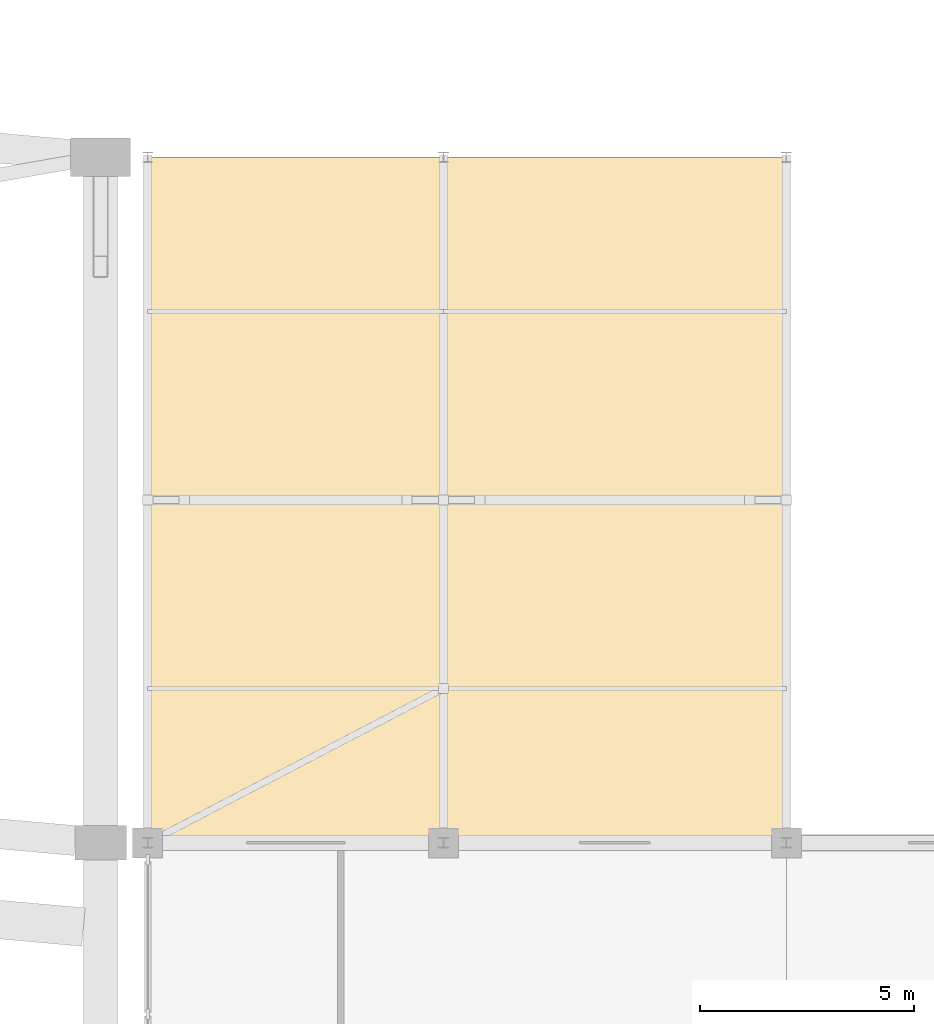
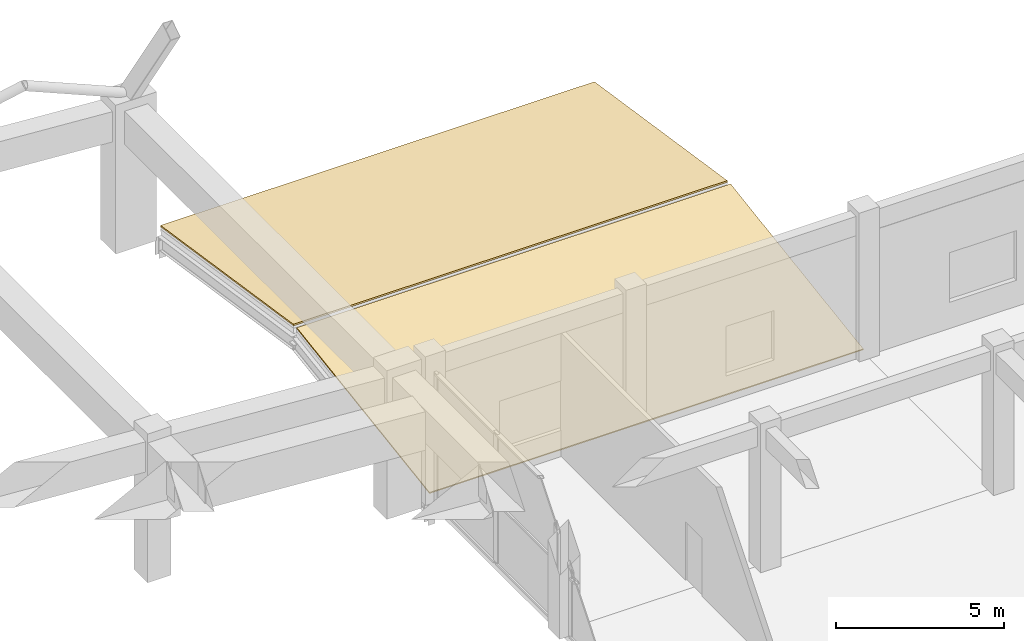
# One storey, part 69 of 69: 2 coverings.
"""IFC4 building model written with IfcOpenShell, lengths in metres."""

from ifc_helpers import new_model, si_unit, direction, frame, origin, place, context, subcontext, project, spatial, polyline, outline, extrude, material, layer, layer_set, type_object, element, save


model = new_model("IFC4")

# Units and contexts
model_context = context("Model", 3, precision=1e-05, world=origin(), true_north=direction((0.0, 1.0)))
body_context = subcontext(model_context, "Body", "Model", "MODEL_VIEW")
ifc_project = project(units=[si_unit("LENGTHUNIT", "METRE"), si_unit("AREAUNIT", "SQUARE_METRE"), si_unit("VOLUMEUNIT", "CUBIC_METRE"), si_unit("PLANEANGLEUNIT", "RADIAN"), si_unit("MASSUNIT", "GRAM", prefix="KILO")], contexts=[model_context])

# Site, building, storey
site_placement = place(None, origin())
site = spatial("IfcSite", under=ifc_project, at=site_placement, CompositionType="ELEMENT")
building_placement = place(site_placement, origin())
building = spatial("IfcBuilding", under=site, at=building_placement, Name="Kenh Van Central Station", CompositionType="ELEMENT")
storey_placement = place(building_placement, frame((0.0, 0.0, 5.39990234375)))
storey = spatial("IfcBuildingStorey", under=building, at=storey_placement, Name="L01", CompositionType="ELEMENT", Elevation=5.39990234375)

# Coverings
ifc_material_1 = material(Name="Standing-seam zinc-aluminium roofing", Category="aluminium")
ifc_layer_1 = layer(ifc_material_1, 0.044921875, Name="Standing-seam zinc-aluminium roofing")
ifc_layer_set_1 = layer_set([ifc_layer_1], Name="Standing-seam zinc-aluminium roofing")
covering_type_1 = type_object("IfcCoveringType", Name="COV-ROOF-SEAM", PredefinedType="ROOFING", material=ifc_layer_set_1)
covering_1_placement = place(storey_placement, frame((145.10009765625, 96.0, 0.14013671875), z_axis=(0.0, -0.150171932464, 0.988659896375), x_axis=(1.0, 0.0, 0.0)))
element("IfcCovering", 1, at=covering_1_placement, inside=storey, type_object=covering_type_1, Name="L01 pitched roof covering 11", PredefinedType="ROOFING", context=body_context, shape_type="SweptSolid", body=[
    extrude(outline(polyline([(0.0, 0.0), (14.89990234375, 0.0), (14.89990234375, 7.990515618886614), (0.0, 7.990515618886614), (0.0, 0.0)])), origin(), (0.0, 0.0, -1.0), 0.044921875),
])
ifc_material_2 = material(Name="Glazed terracotta roof tile", Category="masonry")
ifc_layer_2 = layer(ifc_material_2, 0.054931640625, Name="Glazed terracotta roof tile")
ifc_layer_set_2 = layer_set([ifc_layer_2], Name="Glazed terracotta roof tile")
covering_type_2 = type_object("IfcCoveringType", Name="COV-ROOF-TERRA", PredefinedType="ROOFING", material=ifc_layer_set_2)
covering_2_placement = place(storey_placement, frame((145.10009765625, 104.10009765625, 1.340087890625), z_axis=(0.0, 0.150171932464, 0.988659896375), x_axis=(1.0, 0.0, 0.0)))
element("IfcCovering", 2, at=covering_2_placement, inside=storey, type_object=covering_type_2, Name="L01 pitched roof covering 12", PredefinedType="ROOFING", context=body_context, shape_type="SweptSolid", body=[
    extrude(outline(polyline([(0.0, 0.0), (14.89990234375, 0.0), (14.89990234375, 7.990515618886614), (0.0, 7.990515618886614), (0.0, 0.0)])), origin(), (0.0, 0.0, -1.0), 0.054931640625),
])

save(model, "model.ifc")
